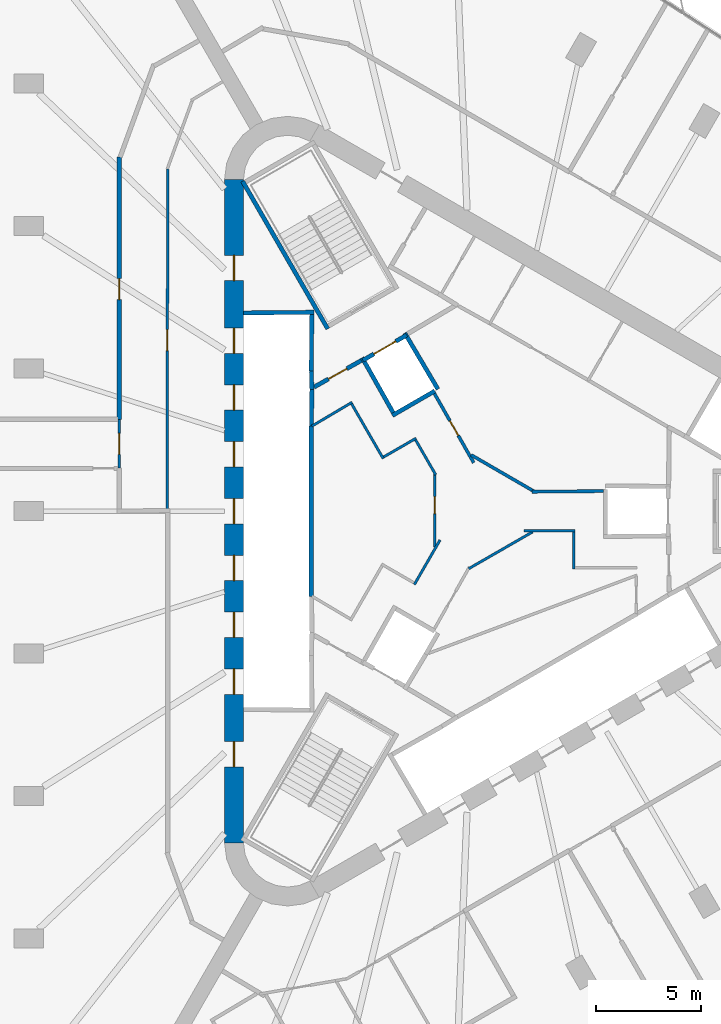
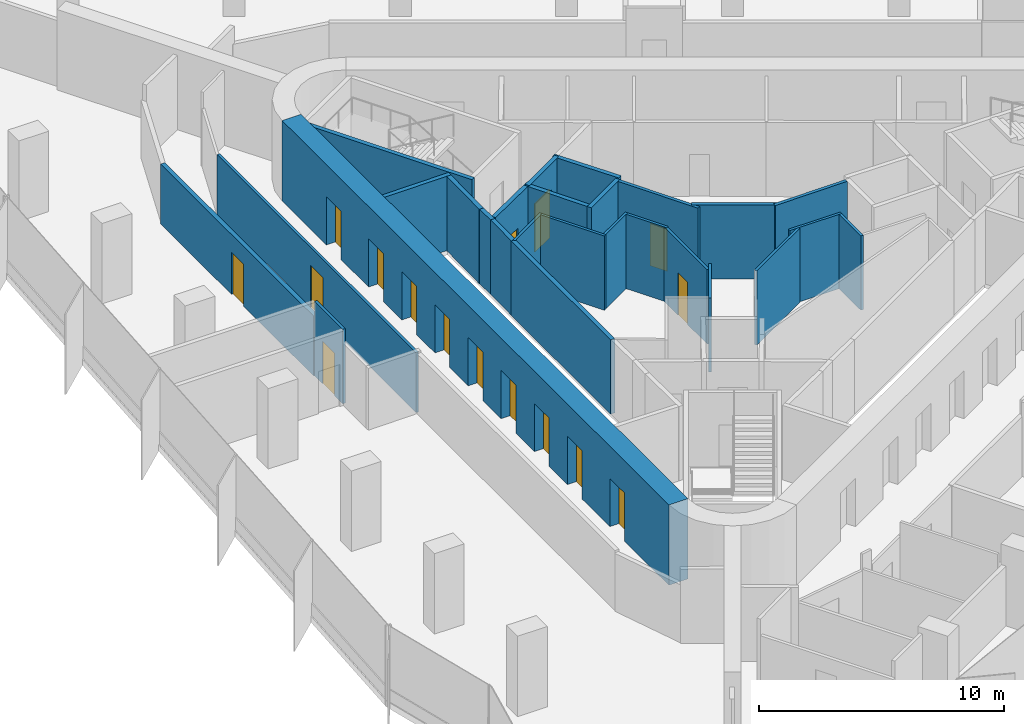
# One storey, part 10 of 14: 27 walls, 16 doors, 16 openings.
"""IFC4 building model written with IfcOpenShell, lengths in metres."""

from ifc_helpers import new_model, si_unit, direction, frame, frame_2d, origin, place, context, subcontext, project, spatial, rectangle, extrude, material, layer, layer_set, type_object, element, fill, save


model = new_model("IFC4")

# Units and contexts
model_context = context("Model", 3, precision=1e-05, world=origin(), true_north=direction((0.0, 1.0)))
body_context = subcontext(model_context, "Body", "Model", "MODEL_VIEW")
ifc_project = project(units=[si_unit("LENGTHUNIT", "METRE"), si_unit("AREAUNIT", "SQUARE_METRE"), si_unit("VOLUMEUNIT", "CUBIC_METRE"), si_unit("PLANEANGLEUNIT", "RADIAN"), si_unit("MASSUNIT", "GRAM", prefix="KILO")], contexts=[model_context])

# Site, building, storey
site_placement = place(None, origin())
site = spatial("IfcSite", under=ifc_project, at=site_placement, CompositionType="ELEMENT")
building_placement = place(site_placement, origin())
building = spatial("IfcBuilding", under=site, at=building_placement, Name="Tanit Gate Tower", CompositionType="ELEMENT")
storey_placement = place(building_placement, frame((0.0, 0.0, 261.199951171875)))
storey = spatial("IfcBuildingStorey", under=building, at=storey_placement, Name="L59", CompositionType="ELEMENT", Elevation=261.199951171875)

# Wall, openings, doors
ifc_material_1 = material(Name="Concrete C50/60", Category="concrete")
ifc_layer_1 = layer(ifc_material_1, 0.89990234375)
ifc_layer_set_1 = layer_set([ifc_layer_1], Name="CORE WALL 900 C50/60")
wall_type_1 = type_object("IfcWallType", Name="CORE WALL 900 C50/60", PredefinedType="SHEAR", material=ifc_layer_set_1)
wall_1_placement = place(storey_placement, frame((-11.64990234375, 15.76171875, 0.0), z_axis=(0.0, 0.0, 1.0), x_axis=(0.0, -1.0, 0.0)))
wall_1 = element("IfcWall", 1, at=wall_1_placement, inside=storey, type_object=wall_type_1, Name="CORE WALL", PredefinedType="SHEAR", context=body_context, shape_type="SweptSolid", body=[
    extrude(rectangle(XDim=31.5234375, YDim=0.89990234375, at=frame_2d((15.76171875, 0.0))), origin(), (0.0, 0.0, 1.0), 4.0),
])
opening_1_placement = place(wall_1_placement, frame((7.061767578125, 0.0, 0.0)))
opening_1 = element("IfcOpeningElement", 2, at=opening_1_placement, cuts=wall_1, Name="Opening LDML1-S16", PredefinedType="OPENING", context=body_context, shape_type="SweptSolid", body=[
    extrude(rectangle(XDim=1.199951171875, YDim=2.39990234375, at=frame_2d((0.60009765625, 1.199951171875))), frame((0.0, 0.4599609375, 0.0), z_axis=(0.0, -1.0, 0.0), x_axis=(1.0, 0.0, 0.0)), (0.0, 0.0, 1.0), 0.919921875),
])
opening_2_placement = place(wall_1_placement, frame((9.76171875, 0.0, 0.0)))
opening_2 = element("IfcOpeningElement", 3, at=opening_2_placement, cuts=wall_1, Name="Opening LDML2-S16", PredefinedType="OPENING", context=body_context, shape_type="SweptSolid", body=[
    extrude(rectangle(XDim=1.199951171875, YDim=2.39990234375, at=frame_2d((0.60009765625, 1.199951171875))), frame((0.0, 0.4599609375, 0.0), z_axis=(0.0, -1.0, 0.0), x_axis=(1.0, 0.0, 0.0)), (0.0, 0.0, 1.0), 0.919921875),
])
opening_3_placement = place(wall_1_placement, frame((12.461669921875, 0.0, 0.0)))
opening_3 = element("IfcOpeningElement", 4, at=opening_3_placement, cuts=wall_1, Name="Opening LDML3-S16", PredefinedType="OPENING", context=body_context, shape_type="SweptSolid", body=[
    extrude(rectangle(XDim=1.199951171875, YDim=2.39990234375, at=frame_2d((0.60009765625, 1.199951171875))), frame((0.0, 0.4599609375, 0.0), z_axis=(0.0, -1.0, 0.0), x_axis=(1.0, 0.0, 0.0)), (0.0, 0.0, 1.0), 0.919921875),
])
opening_4_placement = place(wall_1_placement, frame((15.16162109375, 0.0, 0.0)))
opening_4 = element("IfcOpeningElement", 5, at=opening_4_placement, cuts=wall_1, Name="Opening LDML4-S16", PredefinedType="OPENING", context=body_context, shape_type="SweptSolid", body=[
    extrude(rectangle(XDim=1.199951171875, YDim=2.39990234375, at=frame_2d((0.60009765625, 1.199951171875))), frame((0.0, 0.4599609375, 0.0), z_axis=(0.0, -1.0, 0.0), x_axis=(1.0, 0.0, 0.0)), (0.0, 0.0, 1.0), 0.919921875),
])
opening_5_placement = place(wall_1_placement, frame((17.86181640625, 0.0, 0.0)))
opening_5 = element("IfcOpeningElement", 6, at=opening_5_placement, cuts=wall_1, Name="Opening LDML5-S16", PredefinedType="OPENING", context=body_context, shape_type="SweptSolid", body=[
    extrude(rectangle(XDim=1.199951171875, YDim=2.39990234375, at=frame_2d((0.60009765625, 1.199951171875))), frame((0.0, 0.4599609375, 0.0), z_axis=(0.0, -1.0, 0.0), x_axis=(1.0, 0.0, 0.0)), (0.0, 0.0, 1.0), 0.919921875),
])
opening_6_placement = place(wall_1_placement, frame((20.561767578125, 0.0, 0.0)))
opening_6 = element("IfcOpeningElement", 7, at=opening_6_placement, cuts=wall_1, Name="Opening LDML6-S16", PredefinedType="OPENING", context=body_context, shape_type="SweptSolid", body=[
    extrude(rectangle(XDim=1.199951171875, YDim=2.39990234375, at=frame_2d((0.60009765625, 1.199951171875))), frame((0.0, 0.4599609375, 0.0), z_axis=(0.0, -1.0, 0.0), x_axis=(1.0, 0.0, 0.0)), (0.0, 0.0, 1.0), 0.919921875),
])
opening_7_placement = place(wall_1_placement, frame((23.26171875, 0.0, 0.0)))
opening_7 = element("IfcOpeningElement", 8, at=opening_7_placement, cuts=wall_1, Name="Opening LDML7-S16", PredefinedType="OPENING", context=body_context, shape_type="SweptSolid", body=[
    extrude(rectangle(XDim=1.199951171875, YDim=2.39990234375, at=frame_2d((0.60009765625, 1.199951171875))), frame((0.0, 0.4599609375, 0.0), z_axis=(0.0, -1.0, 0.0), x_axis=(1.0, 0.0, 0.0)), (0.0, 0.0, 1.0), 0.919921875),
])
opening_8_placement = place(wall_1_placement, frame((3.61181640625, 0.0, 0.0)))
opening_8 = element("IfcOpeningElement", 9, at=opening_8_placement, cuts=wall_1, Name="Opening F12-S16-FL2", PredefinedType="OPENING", context=body_context, shape_type="SweptSolid", body=[
    extrude(rectangle(XDim=1.199951171875, YDim=2.39990234375, at=frame_2d((0.60009765625, 1.199951171875))), frame((0.0, 0.4599609375, 0.0), z_axis=(0.0, -1.0, 0.0), x_axis=(1.0, 0.0, 0.0)), (0.0, 0.0, 1.0), 0.919921875),
])
opening_9_placement = place(wall_1_placement, frame((26.711669921875, 0.0, 0.0)))
opening_9 = element("IfcOpeningElement", 10, at=opening_9_placement, cuts=wall_1, Name="Opening F12-S16-S3", PredefinedType="OPENING", context=body_context, shape_type="SweptSolid", body=[
    extrude(rectangle(XDim=1.199951171875, YDim=2.39990234375, at=frame_2d((0.60009765625, 1.199951171875))), frame((0.0, 0.4599609375, 0.0), z_axis=(0.0, -1.0, 0.0), x_axis=(1.0, 0.0, 0.0)), (0.0, 0.0, 1.0), 0.919921875),
])
ifc_material_2 = material(Name="Fire-rated steel door leaf", Category="steel")
door_type_1 = type_object("IfcDoorType", Name="INT-DOOR-FIRE-LOBBY-1200", OperationType="NOTDEFINED", PredefinedType="USERDEFINED", material=ifc_material_2)
door_1_placement = place(opening_8_placement, origin())
door_1 = element("IfcDoor", 11, at=door_1_placement, inside=storey, type_object=door_type_1, Name="Door F12-S16-FL2", ObjectType="FIRE DOOR", OperationType="SINGLE_SWING_RIGHT", OverallHeight=2.39990234375, OverallWidth=1.199951171875, PredefinedType="USERDEFINED", context=body_context, shape_type="SweptSolid", body=[
    extrude(rectangle(XDim=1.199951171875, YDim=2.39990234375, at=frame_2d((0.60009765625, 1.199951171875))), frame((0.0, 0.02490234375, 0.0), z_axis=(0.0, -1.0, 0.0), x_axis=(1.0, 0.0, 0.0)), (0.0, 0.0, 1.0), 0.050048828125),
])
fill(opening_8, door_1)
door_2_placement = place(opening_9_placement, origin())
door_2 = element("IfcDoor", 12, at=door_2_placement, inside=storey, type_object=door_type_1, Name="Door F12-S16-S3", ObjectType="FIRE DOOR", OperationType="SINGLE_SWING_LEFT", OverallHeight=2.39990234375, OverallWidth=1.199951171875, PredefinedType="USERDEFINED", context=body_context, shape_type="SweptSolid", body=[
    extrude(rectangle(XDim=1.199951171875, YDim=2.39990234375, at=frame_2d((0.60009765625, 1.199951171875))), frame((0.0, 0.02490234375, 0.0), z_axis=(0.0, -1.0, 0.0), x_axis=(1.0, 0.0, 0.0)), (0.0, 0.0, 1.0), 0.050048828125),
])
fill(opening_9, door_2)
ifc_material_3 = material(Name="Stainless steel sliding door leaf", Category="steel")
door_type_2 = type_object("IfcDoorType", Name="INT-DOOR-LANDING-1200", OperationType="NOTDEFINED", PredefinedType="USERDEFINED", material=ifc_material_3)
door_3_placement = place(opening_1_placement, origin())
door_3 = element("IfcDoor", 13, at=door_3_placement, inside=storey, type_object=door_type_2, Name="Door LDML1-S16", ObjectType="LANDING DOOR", OperationType="SLIDING_TO_LEFT", OverallHeight=2.39990234375, OverallWidth=1.199951171875, PredefinedType="USERDEFINED", context=body_context, shape_type="SweptSolid", body=[
    extrude(rectangle(XDim=1.199951171875, YDim=2.39990234375, at=frame_2d((0.60009765625, 1.199951171875))), frame((0.0, 0.02490234375, 0.0), z_axis=(0.0, -1.0, 0.0), x_axis=(1.0, 0.0, 0.0)), (0.0, 0.0, 1.0), 0.050048828125),
])
fill(opening_1, door_3)
door_4_placement = place(opening_2_placement, origin())
door_4 = element("IfcDoor", 14, at=door_4_placement, inside=storey, type_object=door_type_2, Name="Door LDML2-S16", ObjectType="LANDING DOOR", OperationType="SLIDING_TO_LEFT", OverallHeight=2.39990234375, OverallWidth=1.199951171875, PredefinedType="USERDEFINED", context=body_context, shape_type="SweptSolid", body=[
    extrude(rectangle(XDim=1.199951171875, YDim=2.39990234375, at=frame_2d((0.60009765625, 1.199951171875))), frame((0.0, 0.02490234375, 0.0), z_axis=(0.0, -1.0, 0.0), x_axis=(1.0, 0.0, 0.0)), (0.0, 0.0, 1.0), 0.050048828125),
])
fill(opening_2, door_4)
door_5_placement = place(opening_3_placement, origin())
door_5 = element("IfcDoor", 15, at=door_5_placement, inside=storey, type_object=door_type_2, Name="Door LDML3-S16", ObjectType="LANDING DOOR", OperationType="SLIDING_TO_LEFT", OverallHeight=2.39990234375, OverallWidth=1.199951171875, PredefinedType="USERDEFINED", context=body_context, shape_type="SweptSolid", body=[
    extrude(rectangle(XDim=1.199951171875, YDim=2.39990234375, at=frame_2d((0.60009765625, 1.199951171875))), frame((0.0, 0.02490234375, 0.0), z_axis=(0.0, -1.0, 0.0), x_axis=(1.0, 0.0, 0.0)), (0.0, 0.0, 1.0), 0.050048828125),
])
fill(opening_3, door_5)
door_6_placement = place(opening_4_placement, origin())
door_6 = element("IfcDoor", 16, at=door_6_placement, inside=storey, type_object=door_type_2, Name="Door LDML4-S16", ObjectType="LANDING DOOR", OperationType="SLIDING_TO_LEFT", OverallHeight=2.39990234375, OverallWidth=1.199951171875, PredefinedType="USERDEFINED", context=body_context, shape_type="SweptSolid", body=[
    extrude(rectangle(XDim=1.199951171875, YDim=2.39990234375, at=frame_2d((0.60009765625, 1.199951171875))), frame((0.0, 0.02490234375, 0.0), z_axis=(0.0, -1.0, 0.0), x_axis=(1.0, 0.0, 0.0)), (0.0, 0.0, 1.0), 0.050048828125),
])
fill(opening_4, door_6)
door_7_placement = place(opening_5_placement, origin())
door_7 = element("IfcDoor", 17, at=door_7_placement, inside=storey, type_object=door_type_2, Name="Door LDML5-S16", ObjectType="LANDING DOOR", OperationType="SLIDING_TO_LEFT", OverallHeight=2.39990234375, OverallWidth=1.199951171875, PredefinedType="USERDEFINED", context=body_context, shape_type="SweptSolid", body=[
    extrude(rectangle(XDim=1.199951171875, YDim=2.39990234375, at=frame_2d((0.60009765625, 1.199951171875))), frame((0.0, 0.02490234375, 0.0), z_axis=(0.0, -1.0, 0.0), x_axis=(1.0, 0.0, 0.0)), (0.0, 0.0, 1.0), 0.050048828125),
])
fill(opening_5, door_7)
door_8_placement = place(opening_6_placement, origin())
door_8 = element("IfcDoor", 18, at=door_8_placement, inside=storey, type_object=door_type_2, Name="Door LDML6-S16", ObjectType="LANDING DOOR", OperationType="SLIDING_TO_LEFT", OverallHeight=2.39990234375, OverallWidth=1.199951171875, PredefinedType="USERDEFINED", context=body_context, shape_type="SweptSolid", body=[
    extrude(rectangle(XDim=1.199951171875, YDim=2.39990234375, at=frame_2d((0.60009765625, 1.199951171875))), frame((0.0, 0.02490234375, 0.0), z_axis=(0.0, -1.0, 0.0), x_axis=(1.0, 0.0, 0.0)), (0.0, 0.0, 1.0), 0.050048828125),
])
fill(opening_6, door_8)
door_9_placement = place(opening_7_placement, origin())
door_9 = element("IfcDoor", 19, at=door_9_placement, inside=storey, type_object=door_type_2, Name="Door LDML7-S16", ObjectType="LANDING DOOR", OperationType="SLIDING_TO_LEFT", OverallHeight=2.39990234375, OverallWidth=1.199951171875, PredefinedType="USERDEFINED", context=body_context, shape_type="SweptSolid", body=[
    extrude(rectangle(XDim=1.199951171875, YDim=2.39990234375, at=frame_2d((0.60009765625, 1.199951171875))), frame((0.0, 0.02490234375, 0.0), z_axis=(0.0, -1.0, 0.0), x_axis=(1.0, 0.0, 0.0)), (0.0, 0.0, 1.0), 0.050048828125),
])
fill(opening_7, door_9)

# Wall, opening, door
ifc_material_4 = material(Name="Fire-rated gypsum board partition")
ifc_layer_2 = layer(ifc_material_4, 0.199951171875)
ifc_layer_set_2 = layer_set([ifc_layer_2], Name="INT-WALL-COMPARTMENT")
wall_type_2 = type_object("IfcWallType", Name="INT-WALL-COMPARTMENT", PredefinedType="PARTITIONING", material=ifc_layer_set_2)
wall_2_placement = place(storey_placement, frame((-5.600341796875, 7.16015625, 0.0), z_axis=(0.0, 0.0, 1.0), x_axis=(-0.871363259478, -0.490638431059, 0.0)))
wall_2 = element("IfcWall", 20, at=wall_2_placement, inside=storey, type_object=wall_type_2, Name="Wall Compartment W065", PredefinedType="PARTITIONING", context=body_context, shape_type="SweptSolid", body=[
    extrude(rectangle(XDim=2.5810546875, YDim=0.199951171875, at=frame_2d((1.29052734375, 0.0))), origin(), (0.0, 0.0, 1.0), 3.699951171875),
])
opening_10_placement = place(wall_2_placement, frame((0.79052734375, 0.0, 0.0)))
opening_10 = element("IfcOpeningElement", 21, at=opening_10_placement, cuts=wall_2, Name="Opening F10-S16-05", PredefinedType="OPENING", context=body_context, shape_type="SweptSolid", body=[
    extrude(rectangle(XDim=1.0, YDim=2.10009765625, at=frame_2d((0.5, 1.050048828125))), frame((0.0, 0.10986328125, 0.0), z_axis=(0.0, -1.0, 0.0), x_axis=(1.0, 0.0, 0.0)), (0.0, 0.0, 1.0), 0.219970703125),
])
ifc_material_5 = material(Name="Fire-rated steel door leaf", Category="steel")
door_type_3 = type_object("IfcDoorType", Name="INT-DOOR-FIRE-1000", OperationType="NOTDEFINED", PredefinedType="USERDEFINED", material=ifc_material_5)
door_10_placement = place(opening_10_placement, origin())
door_10 = element("IfcDoor", 22, at=door_10_placement, inside=storey, type_object=door_type_3, Name="Door F10-S16-05", ObjectType="FIRE DOOR", OperationType="SINGLE_SWING_RIGHT", OverallHeight=2.10009765625, OverallWidth=1.0, PredefinedType="USERDEFINED", context=body_context, shape_type="SweptSolid", body=[
    extrude(rectangle(XDim=1.0, YDim=2.10009765625, at=frame_2d((0.5, 1.050048828125))), frame((0.0, 0.02490234375, 0.0), z_axis=(0.0, -1.0, 0.0), x_axis=(1.0, 0.0, 0.0)), (0.0, 0.0, 1.0), 0.050048828125),
])
fill(opening_10, door_10)

wall_3_placement = place(storey_placement, frame((-17.10009765625, 16.82275390625, 0.0), z_axis=(0.0, 0.0, 1.0), x_axis=(0.0, -1.0, 0.0)))
wall_3 = element("IfcWall", 23, at=wall_3_placement, inside=storey, type_object=wall_type_2, Name="Wall Compartment W093", PredefinedType="PARTITIONING", context=body_context, shape_type="SweptSolid", body=[
    extrude(rectangle(XDim=12.47265625, YDim=0.199951171875, at=frame_2d((6.236328125, 0.0))), origin(), (0.0, 0.0, 1.0), 2.97998046875),
])
opening_11_placement = place(wall_3_placement, frame((5.7763671875, 0.0, 0.0)))
opening_11 = element("IfcOpeningElement", 24, at=opening_11_placement, cuts=wall_3, Name="Opening F10-S16-31", PredefinedType="OPENING", context=body_context, shape_type="SweptSolid", body=[
    extrude(rectangle(XDim=1.0, YDim=2.10009765625, at=frame_2d((0.5, 1.050048828125))), frame((0.0, 0.10986328125, 0.0), z_axis=(0.0, -1.0, 0.0), x_axis=(1.0, 0.0, 0.0)), (0.0, 0.0, 1.0), 0.219970703125),
])
door_11_placement = place(opening_11_placement, origin())
door_11 = element("IfcDoor", 25, at=door_11_placement, inside=storey, type_object=door_type_3, Name="Door F10-S16-31", ObjectType="FIRE DOOR", OperationType="SINGLE_SWING_RIGHT", OverallHeight=2.10009765625, OverallWidth=1.0, PredefinedType="USERDEFINED", context=body_context, shape_type="SweptSolid", body=[
    extrude(rectangle(XDim=1.0, YDim=2.10009765625, at=frame_2d((0.5, 1.050048828125))), frame((0.0, 0.02490234375, 0.0), z_axis=(0.0, -1.0, 0.0), x_axis=(1.0, 0.0, 0.0)), (0.0, 0.0, 1.0), 0.050048828125),
])
fill(opening_11, door_11)

# Walls
ifc_material_6 = material(Name="Gypsum board partition")
ifc_layer_3 = layer(ifc_material_6, 0.1201171875)
ifc_layer_set_3 = layer_set([ifc_layer_3], Name="INT-WALL-PARTITION")
wall_type_3 = type_object("IfcWallType", Name="INT-WALL-PARTITION", PredefinedType="PARTITIONING", material=ifc_layer_set_3)
wall_4_placement = place(storey_placement, frame((2.53857421875, -0.985107421875, 0.0), z_axis=(0.0, 0.0, 1.0), x_axis=(-0.866657135765, -0.498904208268, 0.0)))
element("IfcWall", 26, at=wall_4_placement, inside=storey, type_object=wall_type_3, Name="Wall Partition W073", PredefinedType="PARTITIONING", context=body_context, shape_type="SweptSolid", body=[
    extrude(rectangle(XDim=3.505126953125, YDim=0.1201171875, at=frame_2d((1.75244140625, 0.0))), origin(), (0.0, 0.0, 1.0), 3.699951171875),
])
wall_5_placement = place(storey_placement, frame((4.56005859375, -0.925048828125, 0.0), z_axis=(0.0, 0.0, 1.0), x_axis=(-1.0, 0.0, 0.0)))
element("IfcWall", 27, at=wall_5_placement, inside=storey, type_object=wall_type_3, Name="Wall Partition W074", PredefinedType="PARTITIONING", context=body_context, shape_type="SweptSolid", body=[
    extrude(rectangle(XDim=2.438232421875, YDim=0.1201171875, at=frame_2d((1.21923828125, 0.0))), origin(), (0.0, 0.0, 1.0), 3.699951171875),
])
wall_6_placement = place(storey_placement, frame((4.5, -2.760009765625, 0.0), z_axis=(0.0, 0.0, 1.0), x_axis=(0.0, 1.0, 0.0)))
element("IfcWall", 28, at=wall_6_placement, inside=storey, type_object=wall_type_3, Name="Wall Partition W075", PredefinedType="PARTITIONING", context=body_context, shape_type="SweptSolid", body=[
    extrude(rectangle(XDim=1.77490234375, YDim=0.1201171875, at=frame_2d((0.887451171875, 0.0))), origin(), (0.0, 0.0, 1.0), 3.699951171875),
])
wall_7_placement = place(storey_placement, frame((-6.03662109375, 5.17578125, 0.0), z_axis=(0.0, 0.0, 1.0), x_axis=(-0.860106072674, -0.510115225953, 0.0)))
element("IfcWall", 29, at=wall_7_placement, inside=storey, type_object=wall_type_3, Name="Wall Partition W078", PredefinedType="PARTITIONING", context=body_context, shape_type="SweptSolid", body=[
    extrude(rectangle(XDim=2.224609375, YDim=0.1201171875, at=frame_2d((1.1123046875, 0.0))), origin(), (0.0, 0.0, 1.0), 3.699951171875),
])
wall_8_placement = place(storey_placement, frame((-4.558349609375, 2.4951171875, 0.0), z_axis=(0.0, 0.0, 1.0), x_axis=(-0.499990139034, 0.866031096941, 0.0)))
element("IfcWall", 30, at=wall_8_placement, inside=storey, type_object=wall_type_3, Name="Wall Partition W079", PredefinedType="PARTITIONING", context=body_context, shape_type="SweptSolid", body=[
    extrude(rectangle(XDim=3.0, YDim=0.1201171875, at=frame_2d((1.5, 0.0))), origin(), (0.0, 0.0, 1.0), 3.699951171875),
])
wall_9_placement = place(storey_placement, frame((-2.9990234375, 3.464599609375, 0.0), z_axis=(0.0, 0.0, 1.0), x_axis=(-0.866059624469, -0.499940723351, 0.0)))
element("IfcWall", 31, at=wall_9_placement, inside=storey, type_object=wall_type_3, Name="Wall Partition W080", PredefinedType="PARTITIONING", context=body_context, shape_type="SweptSolid", body=[
    extrude(rectangle(XDim=1.775146484375, YDim=0.1201171875, at=frame_2d((0.8876953125, 0.0))), origin(), (0.0, 0.0, 1.0), 3.699951171875),
])
wall_10_placement = place(storey_placement, frame((-2.066162109375, 1.728759765625, 0.0), z_axis=(0.0, 0.0, 1.0), x_axis=(-0.500002807145, 0.866023783073, 0.0)))
element("IfcWall", 32, at=wall_10_placement, inside=storey, type_object=wall_type_3, Name="Wall Partition W081", PredefinedType="PARTITIONING", context=body_context, shape_type="SweptSolid", body=[
    extrude(rectangle(XDim=1.90966796875, YDim=0.1201171875, at=frame_2d((0.954833984375, 0.0))), origin(), (0.0, 0.0, 1.0), 3.699951171875),
])

# Wall, opening, door
wall_11_placement = place(storey_placement, frame((-2.122314453125, -1.7060546875, 0.0), z_axis=(0.0, 0.0, 1.0), x_axis=(0.001253480909, 0.999999214392, 0.0)))
wall_11 = element("IfcWall", 33, at=wall_11_placement, inside=storey, type_object=wall_type_3, Name="Wall Partition W082", PredefinedType="PARTITIONING", context=body_context, shape_type="SweptSolid", body=[
    extrude(rectangle(XDim=3.505859375, YDim=0.1201171875, at=frame_2d((1.7529296875, 0.0))), origin(), (0.0, 0.0, 1.0), 3.699951171875),
])
opening_12_placement = place(wall_11_placement, frame((1.593505859375, 0.0, 0.0)))
opening_12 = element("IfcOpeningElement", 34, at=opening_12_placement, cuts=wall_11, Name="Opening R08-S16-13", PredefinedType="OPENING", context=body_context, shape_type="SweptSolid", body=[
    extrude(rectangle(XDim=0.800048828125, YDim=2.10009765625, at=frame_2d((0.39990234375, 1.050048828125))), frame((0.0, 0.070068359375, 0.0), z_axis=(0.0, -1.0, 0.0), x_axis=(1.0, 0.0, 0.0)), (0.0, 0.0, 1.0), 0.14013671875),
])
ifc_material_7 = material(Name="Timber door leaf", Category="wood")
door_type_4 = type_object("IfcDoorType", Name="INT-DOOR-RISER-800", OperationType="NOTDEFINED", PredefinedType="USERDEFINED", material=ifc_material_7)
door_12_placement = place(opening_12_placement, origin())
door_12 = element("IfcDoor", 35, at=door_12_placement, inside=storey, type_object=door_type_4, Name="Door R08-S16-13", ObjectType="FIRE DOOR", OperationType="SINGLE_SWING_RIGHT", OverallHeight=2.10009765625, OverallWidth=0.800048828125, PredefinedType="USERDEFINED", context=body_context, shape_type="SweptSolid", body=[
    extrude(rectangle(XDim=0.800048828125, YDim=2.10009765625, at=frame_2d((0.39990234375, 1.050048828125))), frame((0.0, 0.02490234375, 0.0), z_axis=(0.0, -1.0, 0.0), x_axis=(1.0, 0.0, 0.0)), (0.0, 0.0, 1.0), 0.050048828125),
])
fill(opening_12, door_12)

# Wall
wall_12_placement = place(storey_placement, frame((-3.0810546875, -3.486572265625, 0.0), z_axis=(0.0, 0.0, 1.0), x_axis=(0.499962263673, 0.866047189767, 0.0)))
element("IfcWall", 36, at=wall_12_placement, inside=storey, type_object=wall_type_3, Name="Wall Partition W083", PredefinedType="PARTITIONING", context=body_context, shape_type="SweptSolid", body=[
    extrude(rectangle(XDim=2.438232421875, YDim=0.1201171875, at=frame_2d((1.21923828125, 0.0))), origin(), (0.0, 0.0, 1.0), 3.699951171875),
])

# Wall, opening, door
wall_13_placement = place(storey_placement, frame((-14.800048828125, 16.257080078125, 0.0), z_axis=(0.0, 0.0, 1.0), x_axis=(-0.001847148781, -0.999998294019, 0.0)))
wall_13 = element("IfcWall", 37, at=wall_13_placement, inside=storey, type_object=wall_type_3, Name="Wall Partition W089", PredefinedType="PARTITIONING", context=body_context, shape_type="SweptSolid", body=[
    extrude(rectangle(XDim=16.257080078125, YDim=0.1201171875, at=frame_2d((8.12841796875, 0.0))), origin(), (0.0, 0.0, 1.0), 2.97998046875),
])
opening_13_placement = place(wall_13_placement, frame((7.628662109375, 0.0, 0.0)))
opening_13 = element("IfcOpeningElement", 38, at=opening_13_placement, cuts=wall_13, Name="Opening D10-S16-19", PredefinedType="OPENING", context=body_context, shape_type="SweptSolid", body=[
    extrude(rectangle(XDim=1.0, YDim=2.10009765625, at=frame_2d((0.5, 1.050048828125))), frame((0.0, 0.070068359375, 0.0), z_axis=(0.0, -1.0, 0.0), x_axis=(1.0, 0.0, 0.0)), (0.0, 0.0, 1.0), 0.14013671875),
])
ifc_material_8 = material(Name="Timber door leaf", Category="wood")
door_type_5 = type_object("IfcDoorType", Name="INT-DOOR-SINGLE-1000", OperationType="NOTDEFINED", PredefinedType="NOTDEFINED", material=ifc_material_8)
door_13_placement = place(opening_13_placement, origin())
door_13 = element("IfcDoor", 39, at=door_13_placement, inside=storey, type_object=door_type_5, Name="Door D10-S16-19", OperationType="SINGLE_SWING_RIGHT", OverallHeight=2.10009765625, OverallWidth=1.0, PredefinedType="NOTDEFINED", context=body_context, shape_type="SweptSolid", body=[
    extrude(rectangle(XDim=1.0, YDim=2.10009765625, at=frame_2d((0.5, 1.050048828125))), frame((0.0, 0.02490234375, 0.0), z_axis=(0.0, -1.0, 0.0), x_axis=(1.0, 0.0, 0.0)), (0.0, 0.0, 1.0), 0.050048828125),
])
fill(opening_13, door_13)

wall_14_placement = place(storey_placement, frame((-17.10009765625, 4.35009765625, 0.0), z_axis=(0.0, 0.0, 1.0), x_axis=(0.0, -1.0, 0.0)))
wall_14 = element("IfcWall", 40, at=wall_14_placement, inside=storey, type_object=wall_type_3, Name="Wall Partition W090", PredefinedType="PARTITIONING", context=body_context, shape_type="SweptSolid", body=[
    extrude(rectangle(XDim=2.300048828125, YDim=0.1201171875, at=frame_2d((1.14990234375, 0.0))), origin(), (0.0, 0.0, 1.0), 3.699951171875),
])
opening_14_placement = place(wall_14_placement, frame((0.64990234375, 0.0, 0.0)))
opening_14 = element("IfcOpeningElement", 41, at=opening_14_placement, cuts=wall_14, Name="Opening D10-S16-20", PredefinedType="OPENING", context=body_context, shape_type="SweptSolid", body=[
    extrude(rectangle(XDim=1.0, YDim=2.10009765625, at=frame_2d((0.5, 1.050048828125))), frame((0.0, 0.070068359375, 0.0), z_axis=(0.0, -1.0, 0.0), x_axis=(1.0, 0.0, 0.0)), (0.0, 0.0, 1.0), 0.14013671875),
])
door_14_placement = place(opening_14_placement, origin())
door_14 = element("IfcDoor", 42, at=door_14_placement, inside=storey, type_object=door_type_5, Name="Door D10-S16-20", OperationType="SINGLE_SWING_LEFT", OverallHeight=2.10009765625, OverallWidth=1.0, PredefinedType="NOTDEFINED", context=body_context, shape_type="SweptSolid", body=[
    extrude(rectangle(XDim=1.0, YDim=2.10009765625, at=frame_2d((0.5, 1.050048828125))), frame((0.0, 0.02490234375, 0.0), z_axis=(0.0, -1.0, 0.0), x_axis=(1.0, 0.0, 0.0)), (0.0, 0.0, 1.0), 0.050048828125),
])
fill(opening_14, door_14)

# Walls
ifc_material_9 = material(Name="Fire-rated gypsum board partition")
ifc_layer_4 = layer(ifc_material_9, 0.14990234375)
ifc_layer_set_4 = layer_set([ifc_layer_4], Name="INT-WALL-RISER")
wall_type_4 = type_object("IfcWallType", Name="INT-WALL-RISER", PredefinedType="PLUMBINGWALL", material=ifc_layer_set_4)
wall_15_placement = place(storey_placement, frame((2.5068359375, 0.923828125, 0.0), z_axis=(0.0, 0.0, 1.0), x_axis=(0.999961473465, 0.008777903278, 0.0)))
element("IfcWall", 43, at=wall_15_placement, inside=storey, type_object=wall_type_4, Name="Wall Riser W068", PredefinedType="PLUMBINGWALL", context=body_context, shape_type="SweptSolid", body=[
    extrude(rectangle(XDim=3.393310546875, YDim=0.14990234375, at=frame_2d((1.69677734375, 0.0))), origin(), (0.0, 0.0, 1.0), 3.699951171875),
])
wall_16_placement = place(storey_placement, frame((-0.38525390625, 2.673095703125, 0.0), z_axis=(0.0, 0.0, 1.0), x_axis=(0.865415028875, -0.501055713266, 0.0)))
element("IfcWall", 44, at=wall_16_placement, inside=storey, type_object=wall_type_4, Name="Wall Riser W069", PredefinedType="PLUMBINGWALL", context=body_context, shape_type="SweptSolid", body=[
    extrude(rectangle(XDim=3.46484375, YDim=0.14990234375, at=frame_2d((1.732421875, 0.0))), origin(), (0.0, 0.0, 1.0), 3.699951171875),
])

# Wall, opening, door
wall_17_placement = place(storey_placement, frame((-2.1240234375, 5.58642578125, 0.0), z_axis=(0.0, 0.0, 1.0), x_axis=(0.493408695398, -0.869797596746, 0.0)))
wall_17 = element("IfcWall", 45, at=wall_17_placement, inside=storey, type_object=wall_type_4, Name="Wall Riser W070", PredefinedType="PLUMBINGWALL", context=body_context, shape_type="SweptSolid", body=[
    extrude(rectangle(XDim=3.7783203125, YDim=0.14990234375, at=frame_2d((1.88916015625, 0.0))), origin(), (0.0, 0.0, 1.0), 3.699951171875),
])
opening_15_placement = place(wall_17_placement, frame((1.4892578125, 0.0, 0.0)))
opening_15 = element("IfcOpeningElement", 46, at=opening_15_placement, cuts=wall_17, Name="Opening R08-S16-10", PredefinedType="OPENING", context=body_context, shape_type="SweptSolid", body=[
    extrude(rectangle(XDim=0.800048828125, YDim=2.10009765625, at=frame_2d((0.39990234375, 1.050048828125))), frame((0.0, 0.0849609375, 0.0), z_axis=(0.0, -1.0, 0.0), x_axis=(1.0, 0.0, 0.0)), (0.0, 0.0, 1.0), 0.169921875),
])
door_15_placement = place(opening_15_placement, origin())
door_15 = element("IfcDoor", 47, at=door_15_placement, inside=storey, type_object=door_type_4, Name="Door R08-S16-10", ObjectType="FIRE DOOR", OperationType="SINGLE_SWING_RIGHT", OverallHeight=2.10009765625, OverallWidth=0.800048828125, PredefinedType="USERDEFINED", context=body_context, shape_type="SweptSolid", body=[
    extrude(rectangle(XDim=0.800048828125, YDim=2.10009765625, at=frame_2d((0.39990234375, 1.050048828125))), frame((0.0, 0.02490234375, 0.0), z_axis=(0.0, -1.0, 0.0), x_axis=(1.0, 0.0, 0.0)), (0.0, 0.0, 1.0), 0.050048828125),
])
fill(opening_15, door_15)

# Walls
ifc_material_10 = material(Name="Gypsum shaft wall system")
ifc_layer_5 = layer(ifc_material_10, 0.199951171875)
ifc_layer_set_5 = layer_set([ifc_layer_5], Name="INT-WALL-SHAFT")
wall_type_5 = type_object("IfcWallType", Name="INT-WALL-SHAFT", PredefinedType="PLUMBINGWALL", material=ifc_layer_set_5)
wall_18_placement = place(storey_placement, frame((-11.199951171875, 9.419921875, 0.0), z_axis=(0.0, 0.0, 1.0), x_axis=(0.999957167047, 0.009255488683, 0.0)))
element("IfcWall", 48, at=wall_18_placement, inside=storey, type_object=wall_type_5, Name="Wall Shaft W001", PredefinedType="PLUMBINGWALL", context=body_context, shape_type="SweptSolid", body=[
    extrude(rectangle(XDim=3.35009765625, YDim=0.199951171875, at=frame_2d((1.675048828125, 0.0))), origin(), (0.0, 0.0, 1.0), 3.699951171875),
])
wall_19_placement = place(storey_placement, frame((-7.951171875, 9.35009765625, 0.0), z_axis=(0.0, 0.0, 1.0), x_axis=(-0.011120469654, -0.999938165666, 0.0)))
element("IfcWall", 49, at=wall_19_placement, inside=storey, type_object=wall_type_5, Name="Wall Shaft W002", PredefinedType="PLUMBINGWALL", context=body_context, shape_type="SweptSolid", body=[
    extrude(rectangle(XDim=2.700439453125, YDim=0.199951171875, at=frame_2d((1.35009765625, 0.0))), origin(), (0.0, 0.0, 1.0), 3.699951171875),
])
wall_20_placement = place(storey_placement, frame((-7.97705078125, 6.650146484375, 0.0), z_axis=(0.0, 0.0, 1.0), x_axis=(0.030861509705, -0.999523670164, 0.0)))
element("IfcWall", 50, at=wall_20_placement, inside=storey, type_object=wall_type_5, Name="Wall Shaft W003", PredefinedType="PLUMBINGWALL", context=body_context, shape_type="SweptSolid", body=[
    extrude(rectangle(XDim=0.878173828125, YDim=0.199951171875, at=frame_2d((0.43896484375, 0.0))), origin(), (0.0, 0.0, 1.0), 3.699951171875),
])
wall_21_placement = place(storey_placement, frame((-7.94921875, 5.894775390625, 0.0), z_axis=(0.0, 0.0, 1.0), x_axis=(-0.012042535896, -0.999927486035, 0.0)))
element("IfcWall", 51, at=wall_21_placement, inside=storey, type_object=wall_type_5, Name="Wall Shaft W004", PredefinedType="PLUMBINGWALL", context=body_context, shape_type="SweptSolid", body=[
    extrude(rectangle(XDim=1.844970703125, YDim=0.199951171875, at=frame_2d((0.92236328125, 0.0))), origin(), (0.0, 0.0, 1.0), 3.699951171875),
])
wall_22_placement = place(storey_placement, frame((-7.97998046875, 4.050048828125, 0.0), z_axis=(0.0, 0.0, 1.0), x_axis=(0.0, -1.0, 0.0)))
element("IfcWall", 52, at=wall_22_placement, inside=storey, type_object=wall_type_5, Name="Wall Shaft W005", PredefinedType="PLUMBINGWALL", context=body_context, shape_type="SweptSolid", body=[
    extrude(rectangle(XDim=8.10009765625, YDim=0.199951171875, at=frame_2d((4.050048828125, 0.0))), origin(), (0.0, 0.0, 1.0), 3.699951171875),
])

# Wall, opening, door
wall_23_placement = place(storey_placement, frame((-5.524169921875, 7.168212890625, 0.0), z_axis=(0.0, 0.0, 1.0), x_axis=(0.866024647952, 0.500001309137, 0.0)))
wall_23 = element("IfcWall", 53, at=wall_23_placement, inside=storey, type_object=wall_type_5, Name="Wall Shaft W037", PredefinedType="PLUMBINGWALL", context=body_context, shape_type="SweptSolid", body=[
    extrude(rectangle(XDim=2.39990234375, YDim=0.199951171875, at=frame_2d((1.199951171875, 0.0))), origin(), (0.0, 0.0, 1.0), 3.699951171875),
])
opening_16_placement = place(wall_23_placement, frame((0.60009765625, 0.0, 0.0)))
opening_16 = element("IfcOpeningElement", 54, at=opening_16_placement, cuts=wall_23, Name="Opening LDFL2-L59", PredefinedType="OPENING", context=body_context, shape_type="SweptSolid", body=[
    extrude(rectangle(XDim=1.199951171875, YDim=2.39990234375, at=frame_2d((0.60009765625, 1.199951171875))), frame((0.0, 0.10986328125, 0.0), z_axis=(0.0, -1.0, 0.0), x_axis=(1.0, 0.0, 0.0)), (0.0, 0.0, 1.0), 0.219970703125),
])
door_16_placement = place(opening_16_placement, origin())
door_16 = element("IfcDoor", 55, at=door_16_placement, inside=storey, type_object=door_type_2, Name="Door LDFL2-L59", ObjectType="LANDING DOOR", OperationType="SLIDING_TO_LEFT", OverallHeight=2.39990234375, OverallWidth=1.199951171875, PredefinedType="USERDEFINED", context=body_context, shape_type="SweptSolid", body=[
    extrude(rectangle(XDim=1.199951171875, YDim=2.39990234375, at=frame_2d((0.60009765625, 1.199951171875))), frame((0.0, 0.02490234375, 0.0), z_axis=(0.0, -1.0, 0.0), x_axis=(1.0, 0.0, 0.0)), (0.0, 0.0, 1.0), 0.050048828125),
])
fill(opening_16, door_16)

# Walls
wall_24_placement = place(storey_placement, frame((-3.53759765625, 8.46533203125, 0.0), z_axis=(0.0, 0.0, 1.0), x_axis=(0.508647062354, -0.860975125052, 0.0)))
element("IfcWall", 56, at=wall_24_placement, inside=storey, type_object=wall_type_5, Name="Wall Shaft W038", PredefinedType="PLUMBINGWALL", context=body_context, shape_type="SweptSolid", body=[
    extrude(rectangle(XDim=3.10009765625, YDim=0.199951171875, at=frame_2d((1.550048828125, 0.0))), origin(), (0.0, 0.0, 1.0), 3.699951171875),
])
wall_25_placement = place(storey_placement, frame((-2.1083984375, 5.7109375, 0.0), z_axis=(0.0, 0.0, 1.0), x_axis=(-0.866009305107, -0.50002788269, 0.0)))
element("IfcWall", 57, at=wall_25_placement, inside=storey, type_object=wall_type_5, Name="Wall Shaft W039", PredefinedType="PLUMBINGWALL", context=body_context, shape_type="SweptSolid", body=[
    extrude(rectangle(XDim=2.329345703125, YDim=0.199951171875, at=frame_2d((1.16455078125, 0.0))), origin(), (0.0, 0.0, 1.0), 3.699951171875),
])
wall_26_placement = place(storey_placement, frame((-5.5625, 7.29638671875, 0.0), z_axis=(0.0, 0.0, 1.0), x_axis=(0.49134651263, -0.870964180966, 0.0)))
element("IfcWall", 58, at=wall_26_placement, inside=storey, type_object=wall_type_5, Name="Wall Shaft W040", PredefinedType="PLUMBINGWALL", context=body_context, shape_type="SweptSolid", body=[
    extrude(rectangle(XDim=3.000244140625, YDim=0.199951171875, at=frame_2d((1.5, 0.0))), origin(), (0.0, 0.0, 1.0), 3.699951171875),
])
ifc_material_11 = material(Name="Concrete C40/50", Category="concrete")
ifc_layer_6 = layer(ifc_material_11, 0.199951171875)
ifc_layer_set_6 = layer_set([ifc_layer_6], Name="INT-WALL-STAIR")
wall_type_6 = type_object("IfcWallType", Name="INT-WALL-STAIR", PredefinedType="SHEAR", material=ifc_layer_set_6)
wall_27_placement = place(storey_placement, frame((-11.245361328125, 15.677734375, -0.300048828125), z_axis=(0.0, 0.0, 1.0), x_axis=(0.499977274689, -0.866038523851, 0.0)))
element("IfcWall", 59, at=wall_27_placement, inside=storey, type_object=wall_type_6, Name="Wall Stair W033", PredefinedType="SHEAR", context=body_context, shape_type="SweptSolid", body=[
    extrude(rectangle(XDim=8.10009765625, YDim=0.199951171875, at=frame_2d((4.050048828125, 0.0))), origin(), (0.0, 0.0, 1.0), 4.0),
])

save(model, "model.ifc")
